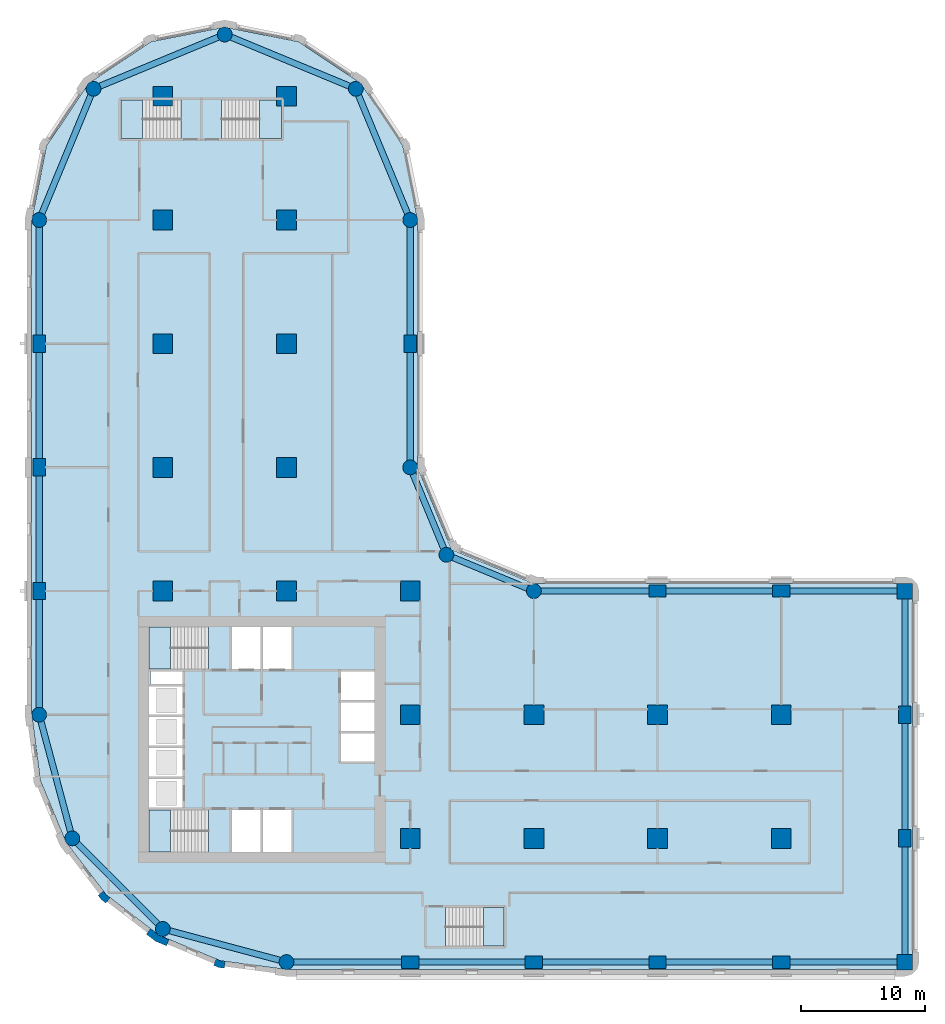
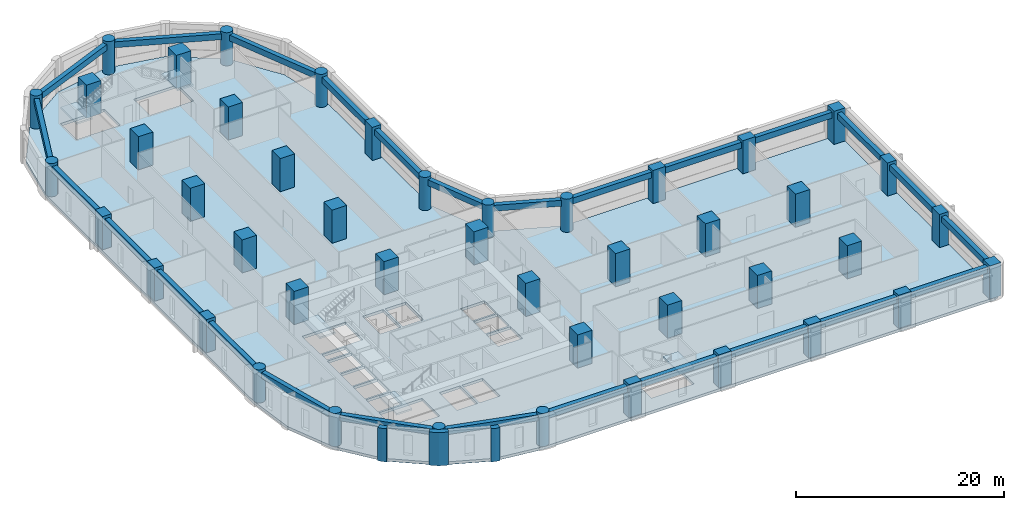
# One storey, part 1 of 10: 45 columns, 26 beams, 6 slabs, 3 walls, 5 elements without a shape of their own.
"""IFC4 building model written with IfcOpenShell, lengths in metres."""

from ifc_helpers import new_model, si_unit, direction, frame, origin, origin_2d, place, context, subcontext, project, spatial, polyline, rectangle, circle, outline, extrude, material, layer, layer_set, material_profile, profile_set, type_object, element, aggregate, save


model = new_model("IFC4")

# Units and contexts
model_context = context("Model", 3, precision=1e-05, world=origin(), true_north=direction((0.0, 1.0)))
body_context = subcontext(model_context, "Body", "Model", "MODEL_VIEW")
ifc_project = project(units=[si_unit("LENGTHUNIT", "METRE"), si_unit("AREAUNIT", "SQUARE_METRE"), si_unit("VOLUMEUNIT", "CUBIC_METRE"), si_unit("PLANEANGLEUNIT", "RADIAN"), si_unit("MASSUNIT", "GRAM", prefix="KILO")], contexts=[model_context])

# Site, building, storey
site_placement = place(None, origin())
site = spatial("IfcSite", under=ifc_project, at=site_placement, CompositionType="ELEMENT")
building_placement = place(site_placement, origin())
building = spatial("IfcBuilding", under=site, at=building_placement, Name="Qaws Garden Tower", CompositionType="ELEMENT")
storey_placement = place(building_placement, frame((0.0, 0.0, 78.300048828125)))
storey = spatial("IfcBuildingStorey", under=building, at=storey_placement, Name="L19", CompositionType="ELEMENT", Elevation=78.300048828125)

# Columns
ifc_material_1 = material(Name="Concrete C80", Category="concrete")
ifc_material_profile_1 = material_profile(ifc_material_1, rectangle(XDim=1.25, YDim=1.25, at=origin_2d()), Name="RC 1250x1250")
ifc_profile_set_1 = profile_set([ifc_material_profile_1], Name="Concrete C80")
column_type_1 = type_object("IfcColumnType", Name="Column RC 1250x1250 C80", PredefinedType="COLUMN", material=ifc_profile_set_1)
for number, where, z_axis, x_axis, name in (
    (1, (70.0, 0.0, 0.0), (0.0, 0.0, 1.0), (1.0, 0.0, 0.0), "Column L19-006"),
    (2, (70.0, 30.0, 0.0), (0.0, 0.0, 1.0), (1.0, 0.0, 0.0), "Column L19-009"),
):
    element("IfcColumn", number, at=place(storey_placement, frame(where, z_axis=z_axis, x_axis=x_axis)), inside=storey, type_object=column_type_1, Name=name, PredefinedType="COLUMN", context=body_context, shape_type="SweptSolid", body=[
        extrude(rectangle(XDim=1.25, YDim=1.25, at=origin_2d()), origin(), (0.0, 0.0, 1.0), 3.89990234375),
    ])
ifc_material_2 = material(Name="Concrete C80", Category="concrete")
ifc_material_profile_2 = material_profile(ifc_material_2, rectangle(XDim=1.39990234375, YDim=1.0, at=origin_2d()), Name="RC 1400x1000")
ifc_profile_set_2 = profile_set([ifc_material_profile_2], Name="Concrete C80")
column_type_2 = type_object("IfcColumnType", Name="Column RC 1400x1000 C80", PredefinedType="COLUMN", material=ifc_profile_set_2)
for number, where, z_axis, x_axis, name in (
    (3, (30.0, 0.0, 0.0), (0.0, 0.0, 1.0), (1.0, 0.0, 0.0), "Column L19-002"),
    (4, (40.0, 0.0, 0.0), (0.0, 0.0, 1.0), (1.0, 0.0, 0.0), "Column L19-003"),
    (5, (50.0, 0.0, 0.0), (0.0, 0.0, 1.0), (1.0, 0.0, 0.0), "Column L19-004"),
    (6, (60.0, 0.0, 0.0), (0.0, 0.0, 1.0), (1.0, 0.0, 0.0), "Column L19-005"),
    (7, (70.0, 10.0, 0.0), (0.0, 0.0, 1.0), (0.0, 1.0, 0.0), "Column L19-007"),
    (8, (70.0, 20.0, 0.0), (0.0, 0.0, 1.0), (0.0, 1.0, 0.0), "Column L19-008"),
    (9, (60.0, 30.0, 0.0), (0.0, 0.0, 1.0), (1.0, 0.0, 0.0), "Column L19-010"),
    (10, (50.0, 30.0, 0.0), (0.0, 0.0, 1.0), (1.0, 0.0, 0.0), "Column L19-011"),
    (11, (30.0, 50.0, 0.0), (0.0, 0.0, 1.0), (0.0, 1.0, 0.0), "Column L19-015"),
    (12, (0.0, 50.0, 0.0), (0.0, 0.0, 1.0), (0.0, 1.0, 0.0), "Column L19-021"),
    (13, (0.0, 40.0, 0.0), (0.0, 0.0, 1.0), (0.0, 1.0, 0.0), "Column L19-022"),
    (14, (0.0, 30.0, 0.0), (0.0, 0.0, 1.0), (0.0, 1.0, 0.0), "Column L19-023"),
):
    element("IfcColumn", number, at=place(storey_placement, frame(where, z_axis=z_axis, x_axis=x_axis)), inside=storey, type_object=column_type_2, Name=name, PredefinedType="COLUMN", context=body_context, shape_type="SweptSolid", body=[
        extrude(rectangle(XDim=1.39990234375, YDim=1.0, at=origin_2d()), origin(), (0.0, 0.0, 1.0), 3.89990234375),
    ])
ifc_material_3 = material(Name="Concrete C80", Category="concrete")
ifc_material_profile_3 = material_profile(ifc_material_3, rectangle(XDim=1.60009765625, YDim=1.60009765625, at=origin_2d()), Name="RC 1600x1600")
ifc_profile_set_3 = profile_set([ifc_material_profile_3], Name="Concrete C80")
column_type_3 = type_object("IfcColumnType", Name="Column RC 1600x1600 C80", PredefinedType="COLUMN", material=ifc_profile_set_3)
for number, where, z_axis, x_axis, name in (
    (15, (10.0, 30.0, 0.0), (0.0, 0.0, 1.0), (1.0, 0.0, 0.0), "Column L19-027"),
    (16, (10.0, 40.0, 0.0), (0.0, 0.0, 1.0), (1.0, 0.0, 0.0), "Column L19-028"),
    (17, (10.0, 50.0, 0.0), (0.0, 0.0, 1.0), (1.0, 0.0, 0.0), "Column L19-029"),
    (18, (10.0, 60.0, 0.0), (0.0, 0.0, 1.0), (1.0, 0.0, 0.0), "Column L19-030"),
    (19, (10.0, 70.0, 0.0), (0.0, 0.0, 1.0), (1.0, 0.0, 0.0), "Column L19-031"),
    (20, (20.0, 30.0, 0.0), (0.0, 0.0, 1.0), (1.0, 0.0, 0.0), "Column L19-032"),
    (21, (20.0, 40.0, 0.0), (0.0, 0.0, 1.0), (1.0, 0.0, 0.0), "Column L19-033"),
    (22, (20.0, 50.0, 0.0), (0.0, 0.0, 1.0), (1.0, 0.0, 0.0), "Column L19-034"),
    (23, (20.0, 60.0, 0.0), (0.0, 0.0, 1.0), (1.0, 0.0, 0.0), "Column L19-035"),
    (24, (20.0, 70.0, 0.0), (0.0, 0.0, 1.0), (1.0, 0.0, 0.0), "Column L19-036"),
    (25, (30.0, 10.0, 0.0), (0.0, 0.0, 1.0), (1.0, 0.0, 0.0), "Column L19-037"),
    (26, (30.0, 20.0, 0.0), (0.0, 0.0, 1.0), (1.0, 0.0, 0.0), "Column L19-038"),
    (27, (30.0, 30.0, 0.0), (0.0, 0.0, 1.0), (1.0, 0.0, 0.0), "Column L19-039"),
    (28, (40.0, 10.0, 0.0), (0.0, 0.0, 1.0), (1.0, 0.0, 0.0), "Column L19-040"),
    (29, (40.0, 20.0, 0.0), (0.0, 0.0, 1.0), (1.0, 0.0, 0.0), "Column L19-041"),
    (30, (50.0, 10.0, 0.0), (0.0, 0.0, 1.0), (1.0, 0.0, 0.0), "Column L19-042"),
    (31, (50.0, 20.0, 0.0), (0.0, 0.0, 1.0), (1.0, 0.0, 0.0), "Column L19-043"),
    (32, (60.0, 10.0, 0.0), (0.0, 0.0, 1.0), (1.0, 0.0, 0.0), "Column L19-044"),
    (33, (60.0, 20.0, 0.0), (0.0, 0.0, 1.0), (1.0, 0.0, 0.0), "Column L19-045"),
):
    element("IfcColumn", number, at=place(storey_placement, frame(where, z_axis=z_axis, x_axis=x_axis)), inside=storey, type_object=column_type_3, Name=name, PredefinedType="COLUMN", context=body_context, shape_type="SweptSolid", body=[
        extrude(rectangle(XDim=1.60009765625, YDim=1.60009765625, at=origin_2d()), origin(), (0.0, 0.0, 1.0), 3.89990234375),
    ])
ifc_material_4 = material(Name="Concrete C80", Category="concrete")
ifc_material_profile_4 = material_profile(ifc_material_4, circle(Radius=0.60009765625, at=origin_2d()), Name="RC D1200")
ifc_profile_set_4 = profile_set([ifc_material_profile_4], Name="Concrete C80")
column_type_4 = type_object("IfcColumnType", Name="Column RC D1200 C80", PredefinedType="COLUMN", material=ifc_profile_set_4)
for number, where, z_axis, x_axis, name in (
    (34, (20.0, 0.0, 0.0), (0.0, 0.0, 1.0), (1.0, 0.0, 0.0), "Column L19-001"),
    (35, (40.0, 30.0, 0.0), (0.0, 0.0, 1.0), (1.0, 0.0, 0.0), "Column L19-012"),
    (36, (32.928955078125, 32.928955078125, 0.0), (0.0, 0.0, 1.0), (1.0, 0.0, 0.0), "Column L19-013"),
    (37, (30.0, 40.0, 0.0), (0.0, 0.0, 1.0), (1.0, 0.0, 0.0), "Column L19-014"),
    (38, (30.0, 60.0, 0.0), (0.0, 0.0, 1.0), (1.0, 0.0, 0.0), "Column L19-016"),
    (39, (25.606689453125, 70.606689453125, 0.0), (0.0, 0.0, 1.0), (1.0, 0.0, 0.0), "Column L19-017"),
    (40, (15.0, 75.0, 0.0), (0.0, 0.0, 1.0), (1.0, 0.0, 0.0), "Column L19-018"),
    (41, (4.393310546875, 70.606689453125, 0.0), (0.0, 0.0, 1.0), (1.0, 0.0, 0.0), "Column L19-019"),
    (42, (0.0, 60.0, 0.0), (0.0, 0.0, 1.0), (1.0, 0.0, 0.0), "Column L19-020"),
    (43, (0.0, 20.0, 0.0), (0.0, 0.0, 1.0), (1.0, 0.0, 0.0), "Column L19-024"),
    (44, (2.679443359375, 10.0, 0.0), (0.0, 0.0, 1.0), (1.0, 0.0, 0.0), "Column L19-025"),
    (45, (10.0, 2.679443359375, 0.0), (0.0, 0.0, 1.0), (1.0, 0.0, 0.0), "Column L19-026"),
):
    element("IfcColumn", number, at=place(storey_placement, frame(where, z_axis=z_axis, x_axis=x_axis)), inside=storey, type_object=column_type_4, Name=name, PredefinedType="COLUMN", context=body_context, shape_type="SweptSolid", body=[
        extrude(circle(Radius=0.60009765625, at=origin_2d()), origin(), (0.0, 0.0, 1.0), 3.89990234375),
    ])

# Beams
ifc_material_5 = material(Name="Concrete C45", Category="concrete")
ifc_material_profile_5 = material_profile(ifc_material_5, rectangle(XDim=0.5, YDim=0.699951171875, at=origin_2d()), Name="RC 500x700")
ifc_profile_set_5 = profile_set([ifc_material_profile_5], Name="Concrete C45")
beam_type = type_object("IfcBeamType", Name="Spandrel beam RC 500x700 C45", PredefinedType="SPANDREL", material=ifc_profile_set_5)
for number, where, z_axis, x_axis, name in (
    (46, (20.0, 0.0, 3.22998046875), (1.0, 0.0, 0.0), (0.0, 1.0, 0.0), "Spandrel beam L19-001"),
    (47, (30.0, 0.0, 3.22998046875), (1.0, 0.0, 0.0), (0.0, 1.0, 0.0), "Spandrel beam L19-002"),
    (48, (40.0, 0.0, 3.22998046875), (1.0, 0.0, 0.0), (0.0, 1.0, 0.0), "Spandrel beam L19-003"),
    (49, (50.0, 0.0, 3.22998046875), (1.0, 0.0, 0.0), (0.0, 1.0, 0.0), "Spandrel beam L19-004"),
    (50, (60.0, 0.0, 3.22998046875), (1.0, 0.0, 0.0), (0.0, 1.0, 0.0), "Spandrel beam L19-005"),
    (51, (70.0, 0.0, 3.22998046875), (0.0, 1.0, 0.0), (-1.0, 0.0, 0.0), "Spandrel beam L19-006"),
    (52, (70.0, 10.0, 3.22998046875), (0.0, 1.0, 0.0), (-1.0, 0.0, 0.0), "Spandrel beam L19-007"),
    (53, (70.0, 20.0, 3.22998046875), (0.0, 1.0, 0.0), (-1.0, 0.0, 0.0), "Spandrel beam L19-008"),
    (54, (70.0, 30.0, 3.22998046875), (-1.0, 0.0, 0.0), (0.0, -1.0, 0.0), "Spandrel beam L19-009"),
    (55, (60.0, 30.0, 3.22998046875), (-1.0, 0.0, 0.0), (0.0, -1.0, 0.0), "Spandrel beam L19-010"),
    (56, (50.0, 30.0, 3.22998046875), (-1.0, 0.0, 0.0), (0.0, -1.0, 0.0), "Spandrel beam L19-011"),
):
    element("IfcBeam", number, at=place(storey_placement, frame(where, z_axis=z_axis, x_axis=x_axis)), inside=storey, type_object=beam_type, Name=name, PredefinedType="SPANDREL", context=body_context, shape_type="SweptSolid", body=[
        extrude(rectangle(XDim=0.5, YDim=0.699951171875, at=origin_2d()), origin(), (0.0, 0.0, 1.0), 10.0),
    ])
for number, where, z_axis, x_axis, name in (
    (57, (40.0, 30.0, 3.22998046875), (-0.923878037141, 0.382687042488, 0.0), (-0.382687042488, -0.923878037141, 0.0), "Spandrel beam L19-012"),
    (58, (32.928955078125, 32.928955078125, 3.22998046875), (-0.382687042488, 0.923878037141, 0.0), (-0.923878037141, -0.382687042488, 0.0), "Spandrel beam L19-013"),
):
    element("IfcBeam", number, at=place(storey_placement, frame(where, z_axis=z_axis, x_axis=x_axis)), inside=storey, type_object=beam_type, Name=name, PredefinedType="SPANDREL", context=body_context, shape_type="SweptSolid", body=[
        extrude(rectangle(XDim=0.5, YDim=0.699951171875, at=origin_2d()), origin(), (0.0, 0.0, 1.0), 7.653564453125),
    ])
for number, where, z_axis, x_axis, name in (
    (59, (30.0, 40.0, 3.22998046875), (0.0, 1.0, 0.0), (-1.0, 0.0, 0.0), "Spandrel beam L19-014"),
    (60, (30.0, 50.0, 3.22998046875), (0.0, 1.0, 0.0), (-1.0, 0.0, 0.0), "Spandrel beam L19-015"),
):
    element("IfcBeam", number, at=place(storey_placement, frame(where, z_axis=z_axis, x_axis=x_axis)), inside=storey, type_object=beam_type, Name=name, PredefinedType="SPANDREL", context=body_context, shape_type="SweptSolid", body=[
        extrude(rectangle(XDim=0.5, YDim=0.699951171875, at=origin_2d()), origin(), (0.0, 0.0, 1.0), 10.0),
    ])
for number, where, z_axis, x_axis, name in (
    (61, (30.0, 60.0, 3.22998046875), (-0.382674207535, 0.923883353507, 0.0), (-0.923883353507, -0.382674207535, 0.0), "Spandrel beam L19-016"),
    (62, (25.606689453125, 70.606689453125, 3.22998046875), (-0.923883353507, 0.382674207535, 0.0), (-0.382674207535, -0.923883353507, 0.0), "Spandrel beam L19-017"),
    (63, (15.0, 75.0, 3.22998046875), (-0.923883353507, -0.382674207535, 0.0), (0.382674207535, -0.923883353507, 0.0), "Spandrel beam L19-018"),
    (64, (4.393310546875, 70.606689453125, 3.22998046875), (-0.382674207535, -0.923883353507, 0.0), (0.923883353507, -0.382674207535, 0.0), "Spandrel beam L19-019"),
):
    element("IfcBeam", number, at=place(storey_placement, frame(where, z_axis=z_axis, x_axis=x_axis)), inside=storey, type_object=beam_type, Name=name, PredefinedType="SPANDREL", context=body_context, shape_type="SweptSolid", body=[
        extrude(rectangle(XDim=0.5, YDim=0.699951171875, at=origin_2d()), origin(), (0.0, 0.0, 1.0), 11.48046875),
    ])
for number, where, z_axis, x_axis, name in (
    (65, (0.0, 60.0, 3.22998046875), (0.0, -1.0, 0.0), (1.0, 0.0, 0.0), "Spandrel beam L19-020"),
    (66, (0.0, 50.0, 3.22998046875), (0.0, -1.0, 0.0), (1.0, 0.0, 0.0), "Spandrel beam L19-021"),
    (67, (0.0, 40.0, 3.22998046875), (0.0, -1.0, 0.0), (1.0, 0.0, 0.0), "Spandrel beam L19-022"),
    (68, (0.0, 30.0, 3.22998046875), (0.0, -1.0, 0.0), (1.0, 0.0, 0.0), "Spandrel beam L19-023"),
):
    element("IfcBeam", number, at=place(storey_placement, frame(where, z_axis=z_axis, x_axis=x_axis)), inside=storey, type_object=beam_type, Name=name, PredefinedType="SPANDREL", context=body_context, shape_type="SweptSolid", body=[
        extrude(rectangle(XDim=0.5, YDim=0.699951171875, at=origin_2d()), origin(), (0.0, 0.0, 1.0), 10.0),
    ])
for number, where, z_axis, x_axis, name in (
    (69, (0.0, 20.0, 3.22998046875), (0.25881466832, -0.965926999034, 0.0), (0.965926999034, 0.25881466832, 0.0), "Spandrel beam L19-024"),
    (70, (2.679443359375, 10.0, 3.22998046875), (0.707106781187, -0.707106781187, 0.0), (0.707106781187, 0.707106781187, 0.0), "Spandrel beam L19-025"),
    (71, (10.0, 2.679443359375, 3.22998046875), (0.965926999034, -0.25881466832, 0.0), (0.25881466832, 0.965926999034, 0.0), "Spandrel beam L19-026"),
):
    element("IfcBeam", number, at=place(storey_placement, frame(where, z_axis=z_axis, x_axis=x_axis)), inside=storey, type_object=beam_type, Name=name, PredefinedType="SPANDREL", context=body_context, shape_type="SweptSolid", body=[
        extrude(rectangle(XDim=0.5, YDim=0.699951171875, at=origin_2d()), origin(), (0.0, 0.0, 1.0), 10.352783203125),
    ])

# Slab
ifc_material_6 = material(Name="Concrete C40", Category="concrete")
ifc_layer_1 = layer(ifc_material_6, 0.320068359375)
ifc_layer_set_1 = layer_set([ifc_layer_1], Name="Concrete C40")
slab_type_1 = type_object("IfcSlabType", Name="Floor slab 320 C40", PredefinedType="FLOOR", material=ifc_layer_set_1)
slab_1_placement = place(storey_placement, frame((0.0, 0.0, -0.320068359375)))
element("IfcSlab", 72, at=slab_1_placement, inside=storey, type_object=slab_type_1, Name="Floor slab L19", PredefinedType="FLOOR", context=body_context, shape_type="SweptSolid", body=[
    extrude(outline(polyline([(0.101806640625, 14.668212890625), (-0.60009765625, 20.0), (-0.60009765625, 30.60009765625), (-0.60009765625, 60.0), (-0.60009765625, 60.0), (0.58740234375, 65.969970703125), (3.968994140625, 71.031005859375), (9.030029296875, 74.41259765625), (15.0, 75.60009765625), (20.969970703125, 74.41259765625), (26.031005859375, 71.031005859375), (29.41259765625, 65.969970703125), (30.60009765625, 60.0), (30.60009765625, 40.0), (33.353271484375, 33.353271484375), (40.0, 30.60009765625), (70.0, 30.60009765625), (70.42431640625, 30.42431640625), (70.60009765625, 30.0), (70.60009765625, 0.0), (70.42431640625, -0.42431640625), (70.0, -0.60009765625), (30.60009765625, -0.60009765625), (20.0, -0.60009765625), (14.668212890625, 0.101806640625), (9.699951171875, 2.159912109375), (5.43359375, 5.43359375), (2.159912109375, 9.699951171875), (0.101806640625, 14.668212890625)]), holes=[polyline([(13.699462890625, 12.300048828125), (8.89990234375, 12.300048828125), (8.89990234375, 8.89990234375), (13.699462890625, 8.89990234375), (13.699462890625, 12.300048828125)]), polyline([(17.89990234375, 12.300048828125), (15.60009765625, 12.300048828125), (15.60009765625, 8.89990234375), (17.89990234375, 8.89990234375), (17.89990234375, 12.300048828125)]), polyline([(11.60009765625, 14.800048828125), (8.89990234375, 14.800048828125), (8.89990234375, 12.5), (11.60009765625, 12.5), (11.60009765625, 14.800048828125)]), polyline([(11.60009765625, 17.300048828125), (8.89990234375, 17.300048828125), (8.89990234375, 15.0), (11.60009765625, 15.0), (11.60009765625, 17.300048828125)]), polyline([(11.60009765625, 19.800048828125), (8.89990234375, 19.800048828125), (8.89990234375, 17.5), (11.60009765625, 17.5), (11.60009765625, 19.800048828125)]), polyline([(11.60009765625, 22.300048828125), (8.89990234375, 22.300048828125), (8.89990234375, 20.0), (11.60009765625, 20.0), (11.60009765625, 22.300048828125)]), polyline([(11.60009765625, 23.5), (9.0, 23.5), (9.0, 22.5), (11.60009765625, 22.5), (11.60009765625, 23.5)]), polyline([(13.699462890625, 27.10009765625), (8.89990234375, 27.10009765625), (8.89990234375, 23.699951171875), (13.699462890625, 23.699951171875), (13.699462890625, 27.10009765625)]), polyline([(11.449462890625, 69.699951171875), (6.60009765625, 69.699951171875), (6.60009765625, 66.60009765625), (11.449462890625, 66.60009765625), (11.449462890625, 69.699951171875)]), polyline([(37.60009765625, 4.39990234375), (32.8505859375, 4.39990234375), (32.8505859375, 1.300048828125), (37.60009765625, 1.300048828125), (37.60009765625, 4.39990234375)]), polyline([(20.39990234375, 12.300048828125), (18.10009765625, 12.300048828125), (18.10009765625, 8.89990234375), (20.39990234375, 8.89990234375), (20.39990234375, 12.300048828125)]), polyline([(27.10009765625, 18.5), (24.39990234375, 18.5), (24.39990234375, 16.199951171875), (27.10009765625, 16.199951171875), (27.10009765625, 18.5)]), polyline([(27.10009765625, 21.0), (24.39990234375, 21.0), (24.39990234375, 18.699951171875), (27.10009765625, 18.699951171875), (27.10009765625, 21.0)]), polyline([(27.10009765625, 23.5), (24.39990234375, 23.5), (24.39990234375, 21.199951171875), (27.10009765625, 21.199951171875), (27.10009765625, 23.5)]), polyline([(17.89990234375, 27.10009765625), (15.60009765625, 27.10009765625), (15.60009765625, 23.699951171875), (17.89990234375, 23.699951171875), (17.89990234375, 27.10009765625)]), polyline([(20.39990234375, 23.699951171875), (20.39990234375, 27.10009765625), (18.10009765625, 27.10009765625), (18.10009765625, 23.699951171875), (20.39990234375, 23.699951171875)]), polyline([(19.60009765625, 66.60009765625), (19.60009765625, 69.699951171875), (14.75048828125, 69.699951171875), (14.75048828125, 66.60009765625), (19.60009765625, 66.60009765625)])]), origin(), (0.0, 0.0, 1.0), 0.320068359375),
])

# Stair, slab
ifc_material_7 = material(Name="Concrete C40", Category="concrete")
stair_type_1 = type_object("IfcStairType", Name="Exit stair 1500", PredefinedType="HALF_TURN_STAIR", material=ifc_material_7)
placement_1 = place(storey_placement, origin())
stair_1 = element("IfcStair", 73, at=placement_1, inside=storey, type_object=stair_type_1, Name="Stair 1", PredefinedType="HALF_TURN_STAIR")
ifc_material_8 = material(Name="Concrete C40", Category="concrete")
ifc_layer_2 = layer(ifc_material_8, 0.199951171875)
ifc_layer_set_2 = layer_set([ifc_layer_2], Name="Concrete C40")
slab_type_2 = type_object("IfcSlabType", Name="Stair landing 200", PredefinedType="LANDING", material=ifc_layer_set_2)
placement_2 = place(storey_placement, frame((0.0, 0.0, 1.75)))
slab_2 = element("IfcSlab", 74, at=placement_2, type_object=slab_type_2, Name="ST1 landing 1", PredefinedType="LANDING", context=body_context, shape_type="SweptSolid", body=[
    extrude(outline(polyline([(8.89990234375, 8.89990234375), (10.6201171875, 8.89990234375), (10.6201171875, 12.300048828125), (8.89990234375, 12.300048828125), (8.89990234375, 8.89990234375)])), origin(), (0.0, 0.0, 1.0), 0.199951171875),
])
aggregate(stair_1, [slab_2])

stair_2 = element("IfcStair", 75, at=placement_1, inside=storey, type_object=stair_type_1, Name="Stair 4", PredefinedType="HALF_TURN_STAIR")
slab_3 = element("IfcSlab", 76, at=placement_2, type_object=slab_type_2, Name="ST4 landing 1", PredefinedType="LANDING", context=body_context, shape_type="SweptSolid", body=[
    extrude(outline(polyline([(8.89990234375, 23.699951171875), (10.6201171875, 23.699951171875), (10.6201171875, 27.10009765625), (8.89990234375, 27.10009765625), (8.89990234375, 23.699951171875)])), origin(), (0.0, 0.0, 1.0), 0.199951171875),
])
aggregate(stair_2, [slab_3])

ifc_material_9 = material(Name="Concrete C40", Category="concrete")
stair_type_2 = type_object("IfcStairType", Name="Exit stair 1350", PredefinedType="HALF_TURN_STAIR", material=ifc_material_9)
stair_3 = element("IfcStair", 77, at=placement_1, inside=storey, type_object=stair_type_2, Name="Stair 5", PredefinedType="HALF_TURN_STAIR")
slab_4 = element("IfcSlab", 78, at=placement_2, type_object=slab_type_2, Name="ST5 landing 1", PredefinedType="LANDING", context=body_context, shape_type="SweptSolid", body=[
    extrude(outline(polyline([(35.929931640625, 1.300048828125), (37.60009765625, 1.300048828125), (37.60009765625, 4.39990234375), (35.929931640625, 4.39990234375), (35.929931640625, 1.300048828125)])), origin(), (0.0, 0.0, 1.0), 0.199951171875),
])
aggregate(stair_3, [slab_4])

stair_4 = element("IfcStair", 79, at=placement_1, inside=storey, type_object=stair_type_2, Name="Stair 6", PredefinedType="HALF_TURN_STAIR")
slab_5 = element("IfcSlab", 80, at=placement_2, type_object=slab_type_2, Name="ST6 landing 1", PredefinedType="LANDING", context=body_context, shape_type="SweptSolid", body=[
    extrude(outline(polyline([(6.60009765625, 66.60009765625), (8.3701171875, 66.60009765625), (8.3701171875, 69.699951171875), (6.60009765625, 69.699951171875), (6.60009765625, 66.60009765625)])), origin(), (0.0, 0.0, 1.0), 0.199951171875),
])
aggregate(stair_4, [slab_5])

stair_5 = element("IfcStair", 81, at=placement_1, inside=storey, type_object=stair_type_2, Name="Stair 7", PredefinedType="HALF_TURN_STAIR")
slab_6 = element("IfcSlab", 82, at=placement_2, type_object=slab_type_2, Name="ST7 landing 1", PredefinedType="LANDING", context=body_context, shape_type="SweptSolid", body=[
    extrude(outline(polyline([(17.830078125, 66.60009765625), (19.60009765625, 66.60009765625), (19.60009765625, 69.699951171875), (17.830078125, 69.699951171875), (17.830078125, 66.60009765625)])), origin(), (0.0, 0.0, 1.0), 0.199951171875),
])
aggregate(stair_5, [slab_6])

# Walls
ifc_material_10 = material(Name="Clay facing brick masonry", Category="masonry")
ifc_layer_3 = layer(ifc_material_10, 0.550048828125)
ifc_layer_set_3 = layer_set([ifc_layer_3], Name="Clay facing brick masonry")
wall_type_1 = type_object("IfcWallType", Name="Brick kink pier 550 x 600", PredefinedType="SOLIDWALL", material=ifc_layer_set_3)
element("IfcWall", 83, at=placement_1, inside=storey, type_object=wall_type_1, Name="E-L19-pier-30", PredefinedType="SOLIDWALL", context=body_context, shape_type="SweptSolid", body=[
    extrude(outline(polyline([(4.8818359375, 5.487060546875), (4.762939453125, 5.395751953125), (5.03759765625, 5.03759765625), (5.395751953125, 4.762939453125), (5.487060546875, 4.8818359375), (5.730712890625, 5.19921875), (5.429931640625, 5.429931640625), (5.19921875, 5.730712890625), (4.8818359375, 5.487060546875)])), origin(), (0.0, 0.0, 1.0), 3.89990234375),
])
element("IfcWall", 84, at=placement_1, inside=storey, type_object=wall_type_1, Name="E-L19-pier-32", PredefinedType="SOLIDWALL", context=body_context, shape_type="SweptSolid", body=[
    extrude(outline(polyline([(14.163818359375, -0.127685546875), (14.1064453125, -0.26611328125), (14.5234375, -0.43896484375), (14.970947265625, -0.497802734375), (14.990478515625, -0.34912109375), (15.042724609375, 0.04736328125), (14.6669921875, 0.096923828125), (14.31689453125, 0.241943359375), (14.163818359375, -0.127685546875)])), origin(), (0.0, 0.0, 1.0), 3.89990234375),
])
ifc_material_11 = material(Name="Clay facing brick masonry", Category="masonry")
ifc_layer_4 = layer(ifc_material_11, 0.550048828125)
ifc_layer_set_4 = layer_set([ifc_layer_4], Name="Clay facing brick masonry")
wall_type_2 = type_object("IfcWallType", Name="Brick pier 550 x 1600", PredefinedType="SOLIDWALL", material=ifc_layer_set_4)
element("IfcWall", 85, at=placement_1, inside=storey, type_object=wall_type_2, Name="E-L19-pier-31", PredefinedType="SOLIDWALL", context=body_context, shape_type="SweptSolid", body=[
    extrude(outline(polyline([(8.756591796875, 2.373046875), (8.665283203125, 2.254150390625), (9.419921875, 1.675048828125), (10.299072265625, 1.310791015625), (10.3564453125, 1.449462890625), (10.509521484375, 1.819091796875), (9.697509765625, 2.1552734375), (9.0, 2.6904296875), (8.756591796875, 2.373046875)])), origin(), (0.0, 0.0, 1.0), 3.89990234375),
])

save(model, "model.ifc")
